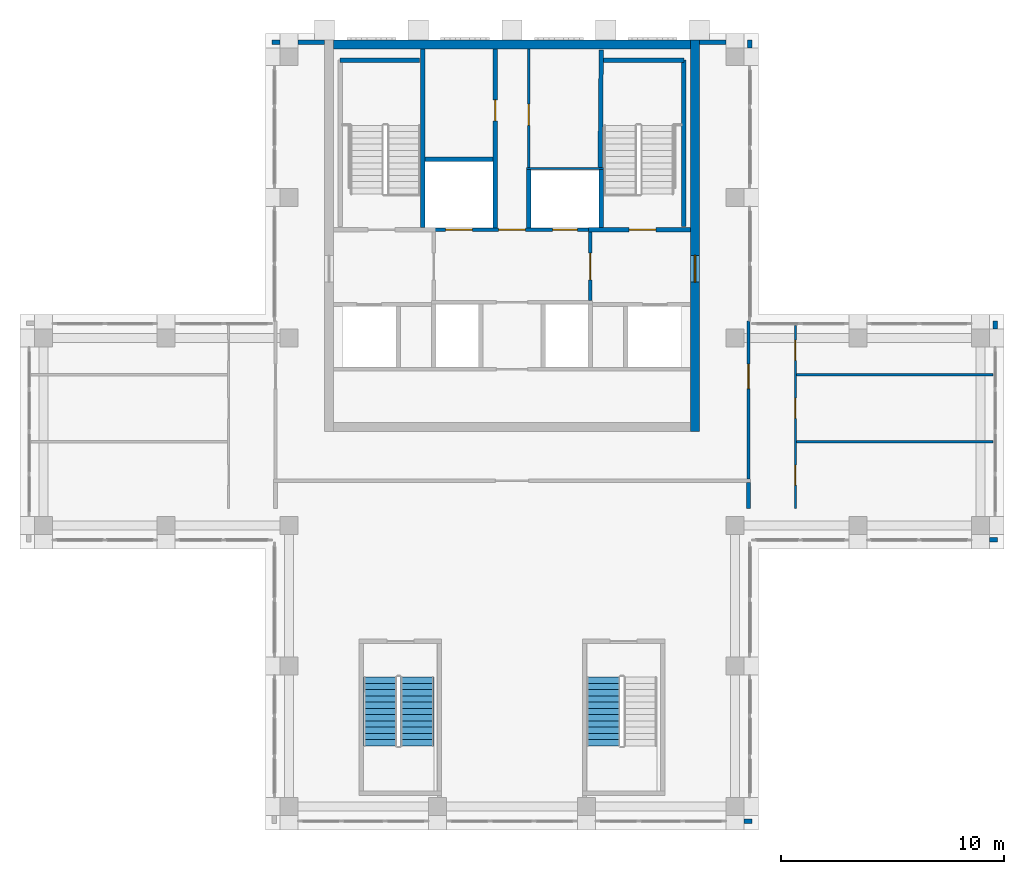
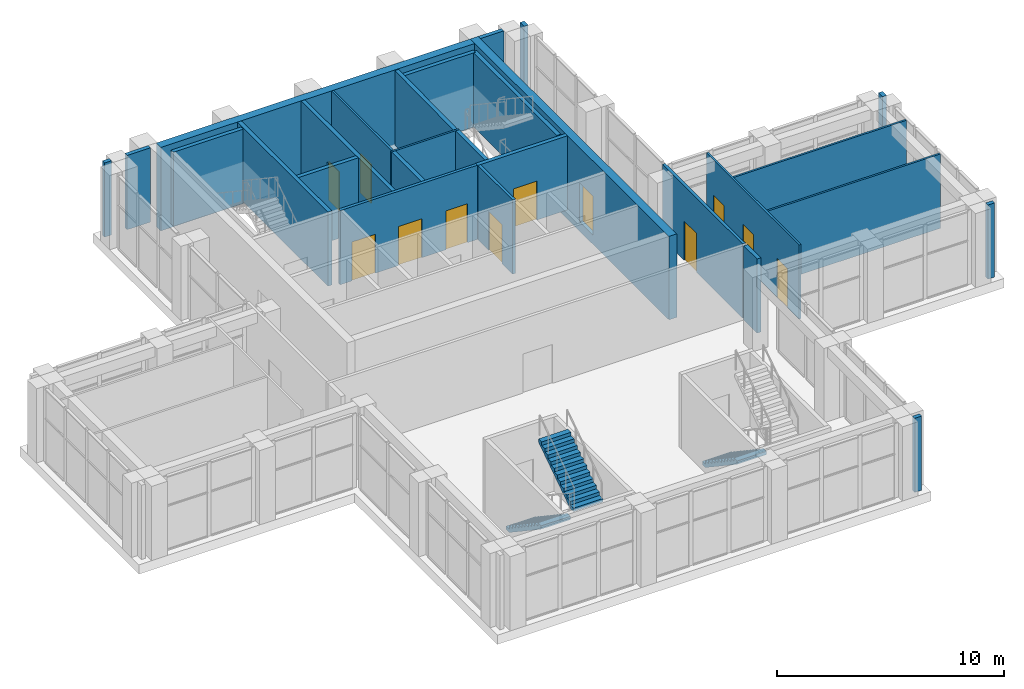
# One storey, part 10 of 14: 28 walls, 12 doors, 3 stair flights, 12 openings, 2 elements without a shape of their own.
"""IFC4 building model written with IfcOpenShell, lengths in metres."""

from ifc_helpers import new_model, si_unit, direction, frame, frame_2d, origin, place, context, subcontext, project, spatial, polyline, rectangle, outline, extrude, material, layer, layer_set, type_object, element, fill, aggregate, save


model = new_model("IFC4")

# Units and contexts
model_context = context("Model", 3, precision=1e-05, world=origin(), true_north=direction((0.0, 1.0)))
body_context = subcontext(model_context, "Body", "Model", "MODEL_VIEW")
ifc_project = project(units=[si_unit("LENGTHUNIT", "METRE"), si_unit("AREAUNIT", "SQUARE_METRE"), si_unit("VOLUMEUNIT", "CUBIC_METRE"), si_unit("PLANEANGLEUNIT", "RADIAN"), si_unit("MASSUNIT", "GRAM", prefix="KILO")], contexts=[model_context])

# Site, building, storey
site_placement = place(None, origin())
site = spatial("IfcSite", under=ifc_project, at=site_placement, CompositionType="ELEMENT")
building_placement = place(site_placement, origin())
building = spatial("IfcBuilding", under=site, at=building_placement, Name="Vermilion Ogive Tower", CompositionType="ELEMENT")
storey_placement = place(building_placement, frame((0.0, 0.0, 289.35009765625)))
storey = spatial("IfcBuildingStorey", under=building, at=storey_placement, Name="L75", CompositionType="ELEMENT", Elevation=289.35009765625)

# Wall, opening, door
ifc_material_1 = material(Name="Concrete B60", Category="concrete")
ifc_layer_1 = layer(ifc_material_1, 0.39990234375)
ifc_layer_set_1 = layer_set([ifc_layer_1], Name="Core wall 400 B60")
wall_type_1 = type_object("IfcWallType", Name="Core wall 400 B60", PredefinedType="SHEAR", material=ifc_layer_set_1)
wall_1_placement = place(storey_placement, frame((8.199951171875, 4.199951171875, -0.5), z_axis=(0.0, 0.0, 1.0), x_axis=(0.0, 1.0, 0.0)))
wall_1 = element("IfcWall", 1, at=wall_1_placement, inside=storey, type_object=wall_type_1, Name="L75-CORE-E", PredefinedType="SHEAR", context=body_context, shape_type="SweptSolid", body=[
    extrude(rectangle(XDim=17.550048828125, YDim=0.39990234375, at=frame_2d((8.77490234375, 0.0))), origin(), (0.0, 0.0, 1.0), 4.5),
])
opening_1_placement = place(wall_1_placement, frame((6.699951171875, 0.0, 0.5)))
opening_1 = element("IfcOpeningElement", 2, at=opening_1_placement, cuts=wall_1, Name="Opening DAY005", PredefinedType="OPENING", context=body_context, shape_type="SweptSolid", body=[
    extrude(rectangle(XDim=1.199951171875, YDim=2.10009765625, at=frame_2d((0.60009765625, 1.050048828125))), frame((0.0, 0.2099609375, 0.0), z_axis=(0.0, -1.0, 0.0), x_axis=(1.0, 0.0, 0.0)), (0.0, 0.0, 1.0), 0.419921875),
])
ifc_material_2 = material(Name="Timber door leaf", Category="wood")
door_type_1 = type_object("IfcDoorType", Name="Link door 1200 x 2100 FD60S", OperationType="SINGLE_SWING_LEFT", PredefinedType="DOOR", material=ifc_material_2)
door_1_placement = place(opening_1_placement, origin())
door_1 = element("IfcDoor", 3, at=door_1_placement, inside=storey, type_object=door_type_1, Name="L75-CK-XD2", OperationType="SINGLE_SWING_LEFT", OverallHeight=2.10009765625, OverallWidth=1.199951171875, PredefinedType="DOOR", context=body_context, shape_type="SweptSolid", body=[
    extrude(rectangle(XDim=1.199951171875, YDim=2.10009765625, at=frame_2d((0.60009765625, 1.050048828125))), frame((0.0, 0.02490234375, 0.0), z_axis=(0.0, -1.0, 0.0), x_axis=(1.0, 0.0, 0.0)), (0.0, 0.0, 1.0), 0.050048828125),
])
fill(opening_1, door_1)

# Walls
wall_2_placement = place(storey_placement, frame((-8.0, 21.550048828125, -0.5), z_axis=(0.0, 0.0, 1.0), x_axis=(1.0, 0.0, 0.0)))
element("IfcWall", 4, at=wall_2_placement, inside=storey, type_object=wall_type_1, Name="L75-CORE-N", PredefinedType="SHEAR", context=body_context, shape_type="SweptSolid", body=[
    extrude(rectangle(XDim=16.0, YDim=0.39990234375, at=frame_2d((8.0, 0.0))), origin(), (0.0, 0.0, 1.0), 4.5),
])
ifc_material_3 = material(Name="Gypsum board partition on steel studs", Category="steel")
ifc_layer_2 = layer(ifc_material_3, 0.10009765625)
ifc_layer_set_2 = layer_set([ifc_layer_2], Name="Partition 100 bath")
wall_type_2 = type_object("IfcWallType", Name="Partition 100 bath", PredefinedType="PARTITIONING", material=ifc_layer_set_2)
for number, where, z_axis, x_axis, name in (
    (5, (12.75, 3.75, 0.0), (0.0, 0.0, 1.0), (1.0, 0.0, 0.0), "L75-FS-W-W003"),
    (6, (12.75, 6.75, 0.0), (0.0, 0.0, 1.0), (1.0, 0.0, 0.0), "L75-FS-W-W005"),
):
    element("IfcWall", number, at=place(storey_placement, frame(where, z_axis=z_axis, x_axis=x_axis)), inside=storey, type_object=wall_type_2, Name=name, PredefinedType="PARTITIONING", context=body_context, shape_type="SweptSolid", body=[
        extrude(rectangle(XDim=8.800048828125, YDim=0.10009765625, at=frame_2d((4.39990234375, 0.0))), origin(), (0.0, 0.0, 1.0), 4.0),
    ])

# Wall, openings, doors
wall_3_placement = place(storey_placement, frame((12.699951171875, 0.75, 0.0), z_axis=(0.0, 0.0, 1.0), x_axis=(0.0, 1.0, 0.0)))
wall_3 = element("IfcWall", 7, at=wall_3_placement, inside=storey, type_object=wall_type_2, Name="L75-FS-W-W011", PredefinedType="PARTITIONING", context=body_context, shape_type="SweptSolid", body=[
    extrude(rectangle(XDim=8.199951171875, YDim=0.10009765625, at=frame_2d((4.10009765625, 0.0))), origin(), (0.0, 0.0, 1.0), 4.0),
])
opening_2_placement = place(wall_3_placement, frame((1.050048828125, 0.0, 0.0)))
opening_2 = element("IfcOpeningElement", 8, at=opening_2_placement, cuts=wall_3, Name="Opening L75S007", PredefinedType="OPENING", context=body_context, shape_type="SweptSolid", body=[
    extrude(rectangle(XDim=0.89990234375, YDim=2.10009765625, at=frame_2d((0.449951171875, 1.050048828125))), frame((0.0, 0.06005859375, 0.0), z_axis=(0.0, -1.0, 0.0), x_axis=(1.0, 0.0, 0.0)), (0.0, 0.0, 1.0), 0.1201171875),
])
opening_3_placement = place(wall_3_placement, frame((4.050048828125, 0.0, 0.0)))
opening_3 = element("IfcOpeningElement", 9, at=opening_3_placement, cuts=wall_3, Name="Opening L75S008", PredefinedType="OPENING", context=body_context, shape_type="SweptSolid", body=[
    extrude(rectangle(XDim=0.89990234375, YDim=2.10009765625, at=frame_2d((0.449951171875, 1.050048828125))), frame((0.0, 0.06005859375, 0.0), z_axis=(0.0, -1.0, 0.0), x_axis=(1.0, 0.0, 0.0)), (0.0, 0.0, 1.0), 0.1201171875),
])
opening_4_placement = place(wall_3_placement, frame((6.64990234375, 0.0, 0.0)))
opening_4 = element("IfcOpeningElement", 10, at=opening_4_placement, cuts=wall_3, Name="Opening L75S009", PredefinedType="OPENING", context=body_context, shape_type="SweptSolid", body=[
    extrude(rectangle(XDim=0.89990234375, YDim=2.10009765625, at=frame_2d((0.449951171875, 1.050048828125))), frame((0.0, 0.06005859375, 0.0), z_axis=(0.0, -1.0, 0.0), x_axis=(1.0, 0.0, 0.0)), (0.0, 0.0, 1.0), 0.1201171875),
])
ifc_material_4 = material(Name="Timber door leaf", Category="wood")
door_type_2 = type_object("IfcDoorType", Name="Room door 900 x 2100 FD30", OperationType="SINGLE_SWING_LEFT", PredefinedType="DOOR", material=ifc_material_4)
door_2_placement = place(opening_2_placement, origin())
door_2 = element("IfcDoor", 11, at=door_2_placement, inside=storey, type_object=door_type_2, Name="L75-FS-D-D007", OperationType="SINGLE_SWING_RIGHT", OverallHeight=2.10009765625, OverallWidth=0.89990234375, PredefinedType="DOOR", context=body_context, shape_type="SweptSolid", body=[
    extrude(rectangle(XDim=0.89990234375, YDim=2.10009765625, at=frame_2d((0.449951171875, 1.050048828125))), frame((0.0, 0.02490234375, 0.0), z_axis=(0.0, -1.0, 0.0), x_axis=(1.0, 0.0, 0.0)), (0.0, 0.0, 1.0), 0.050048828125),
])
fill(opening_2, door_2)
door_3_placement = place(opening_3_placement, origin())
door_3 = element("IfcDoor", 12, at=door_3_placement, inside=storey, type_object=door_type_2, Name="L75-FS-D-D008", OperationType="SINGLE_SWING_RIGHT", OverallHeight=2.10009765625, OverallWidth=0.89990234375, PredefinedType="DOOR", context=body_context, shape_type="SweptSolid", body=[
    extrude(rectangle(XDim=0.89990234375, YDim=2.10009765625, at=frame_2d((0.449951171875, 1.050048828125))), frame((0.0, 0.02490234375, 0.0), z_axis=(0.0, -1.0, 0.0), x_axis=(1.0, 0.0, 0.0)), (0.0, 0.0, 1.0), 0.050048828125),
])
fill(opening_3, door_3)
door_4_placement = place(opening_4_placement, origin())
door_4 = element("IfcDoor", 13, at=door_4_placement, inside=storey, type_object=door_type_2, Name="L75-FS-D-D009", OperationType="SINGLE_SWING_RIGHT", OverallHeight=2.10009765625, OverallWidth=0.89990234375, PredefinedType="DOOR", context=body_context, shape_type="SweptSolid", body=[
    extrude(rectangle(XDim=0.89990234375, YDim=2.10009765625, at=frame_2d((0.449951171875, 1.050048828125))), frame((0.0, 0.02490234375, 0.0), z_axis=(0.0, -1.0, 0.0), x_axis=(1.0, 0.0, 0.0)), (0.0, 0.0, 1.0), 0.050048828125),
])
fill(opening_4, door_4)

# Wall
wall_4_placement = place(storey_placement, frame((0.64990234375, 16.0, 0.0), z_axis=(0.0, 0.0, 1.0), x_axis=(1.0, 0.0, 0.0)))
element("IfcWall", 14, at=wall_4_placement, inside=storey, type_object=wall_type_2, Name="L75-CK-W-W008", PredefinedType="PARTITIONING", context=body_context, shape_type="SweptSolid", body=[
    extrude(rectangle(XDim=3.4501953125, YDim=0.10009765625, at=frame_2d((1.72509765625, 0.0))), origin(), (0.0, 0.0, 1.0), 4.0),
])

# Wall, opening, door
wall_5_placement = place(storey_placement, frame((0.75, 16.050048828125, 0.0), z_axis=(0.0, 0.0, 1.0), x_axis=(0.0, 1.0, 0.0)))
wall_5 = element("IfcWall", 15, at=wall_5_placement, inside=storey, type_object=wall_type_2, Name="L75-CK-W-W017", PredefinedType="PARTITIONING", context=body_context, shape_type="SweptSolid", body=[
    extrude(rectangle(XDim=5.299072265625, YDim=0.10009765625, at=frame_2d((2.6494140625, 0.0))), origin(), (0.0, 0.0, 1.0), 4.0),
])
opening_5_placement = place(wall_5_placement, frame((1.875, 0.0, 0.0)))
opening_5 = element("IfcOpeningElement", 16, at=opening_5_placement, cuts=wall_5, Name="Opening DAE062", PredefinedType="OPENING", context=body_context, shape_type="SweptSolid", body=[
    extrude(rectangle(XDim=0.949951171875, YDim=2.10009765625, at=frame_2d((0.47509765625, 1.050048828125))), frame((0.0, 0.06005859375, 0.0), z_axis=(0.0, -1.0, 0.0), x_axis=(1.0, 0.0, 0.0)), (0.0, 0.0, 1.0), 0.1201171875),
])
ifc_material_5 = material(Name="Timber door leaf", Category="wood")
door_type_3 = type_object("IfcDoorType", Name="Service door 950 x 2100 FD60", OperationType="SINGLE_SWING_LEFT", PredefinedType="DOOR", material=ifc_material_5)
door_5_placement = place(opening_5_placement, origin())
door_5 = element("IfcDoor", 17, at=door_5_placement, inside=storey, type_object=door_type_3, Name="L75-CK-D-D011", OperationType="SINGLE_SWING_LEFT", OverallHeight=2.10009765625, OverallWidth=0.949951171875, PredefinedType="DOOR", context=body_context, shape_type="SweptSolid", body=[
    extrude(rectangle(XDim=0.949951171875, YDim=2.10009765625, at=frame_2d((0.47509765625, 1.050048828125))), frame((0.0, 0.02490234375, 0.0), z_axis=(0.0, -1.0, 0.0), x_axis=(1.0, 0.0, 0.0)), (0.0, 0.0, 1.0), 0.050048828125),
])
fill(opening_5, door_5)

ifc_material_6 = material(Name="Gypsum board partition on steel studs", Category="steel")
ifc_layer_3 = layer(ifc_material_6, 0.14990234375)
ifc_layer_set_3 = layer_set([ifc_layer_3], Name="Partition 150 corridor")
wall_type_3 = type_object("IfcWallType", Name="Partition 150 corridor", PredefinedType="PARTITIONING", material=ifc_layer_set_3)
wall_6_placement = place(storey_placement, frame((10.60009765625, 2.074951171875, 0.0), z_axis=(0.0, 0.0, 1.0), x_axis=(0.0, 1.0, 0.0)))
wall_6 = element("IfcWall", 18, at=wall_6_placement, inside=storey, type_object=wall_type_3, Name="L75-FS-W-W010", PredefinedType="PARTITIONING", context=body_context, shape_type="SweptSolid", body=[
    extrude(rectangle(XDim=7.074951171875, YDim=0.14990234375, at=frame_2d((3.53759765625, 0.0))), origin(), (0.0, 0.0, 1.0), 4.0),
])
opening_6_placement = place(wall_6_placement, frame((4.050048828125, 0.0, 0.0)))
opening_6 = element("IfcOpeningElement", 19, at=opening_6_placement, cuts=wall_6, Name="Opening L75S006", PredefinedType="OPENING", context=body_context, shape_type="SweptSolid", body=[
    extrude(rectangle(XDim=1.10009765625, YDim=2.10009765625, at=frame_2d((0.550048828125, 1.050048828125))), frame((0.0, 0.0849609375, 0.0), z_axis=(0.0, -1.0, 0.0), x_axis=(1.0, 0.0, 0.0)), (0.0, 0.0, 1.0), 0.169921875),
])
ifc_material_7 = material(Name="Timber door leaf", Category="wood")
door_type_4 = type_object("IfcDoorType", Name="Wc door 1100 x 2100 FD30", OperationType="SINGLE_SWING_LEFT", PredefinedType="DOOR", material=ifc_material_7)
door_6_placement = place(opening_6_placement, origin())
door_6 = element("IfcDoor", 20, at=door_6_placement, inside=storey, type_object=door_type_4, Name="L75-FS-D-D006", OperationType="SINGLE_SWING_RIGHT", OverallHeight=2.10009765625, OverallWidth=1.10009765625, PredefinedType="DOOR", context=body_context, shape_type="SweptSolid", body=[
    extrude(rectangle(XDim=1.10009765625, YDim=2.10009765625, at=frame_2d((0.550048828125, 1.050048828125))), frame((0.0, 0.02490234375, 0.0), z_axis=(0.0, -1.0, 0.0), x_axis=(1.0, 0.0, 0.0)), (0.0, 0.0, 1.0), 0.050048828125),
])
fill(opening_6, door_6)

# Wall, openings, doors
wall_7_placement = place(storey_placement, frame((-3.574951171875, 13.25, 0.0), z_axis=(0.0, 0.0, 1.0), x_axis=(1.0, 0.0, 0.0)))
wall_7 = element("IfcWall", 21, at=wall_7_placement, inside=storey, type_object=wall_type_3, Name="L75-CK-W-W006", PredefinedType="PARTITIONING", context=body_context, shape_type="SweptSolid", body=[
    extrude(rectangle(XDim=7.14990234375, YDim=0.14990234375, at=frame_2d((3.574951171875, 0.0))), origin(), (0.0, 0.0, 1.0), 4.0),
])
opening_7_placement = place(wall_7_placement, frame((0.599853515625, 0.0, 0.0)))
opening_7 = element("IfcOpeningElement", 22, at=opening_7_placement, cuts=wall_7, Name="Opening DAE068", PredefinedType="OPENING", context=body_context, shape_type="SweptSolid", body=[
    extrude(rectangle(XDim=1.199951171875, YDim=2.10009765625, at=frame_2d((0.60009765625, 1.050048828125))), frame((0.0, 0.0849609375, 0.0), z_axis=(0.0, -1.0, 0.0), x_axis=(1.0, 0.0, 0.0)), (0.0, 0.0, 1.0), 0.169921875),
])
opening_8_placement = place(wall_7_placement, frame((5.39990234375, 0.0, 0.0)))
opening_8 = element("IfcOpeningElement", 23, at=opening_8_placement, cuts=wall_7, Name="Opening DAE067", PredefinedType="OPENING", context=body_context, shape_type="SweptSolid", body=[
    extrude(rectangle(XDim=1.10009765625, YDim=2.10009765625, at=frame_2d((0.550048828125, 1.050048828125))), frame((0.0, 0.0849609375, 0.0), z_axis=(0.0, -1.0, 0.0), x_axis=(1.0, 0.0, 0.0)), (0.0, 0.0, 1.0), 0.169921875),
])
opening_9_placement = place(wall_7_placement, frame((2.974853515625, 0.0, 0.0)))
opening_9 = element("IfcOpeningElement", 24, at=opening_9_placement, cuts=wall_7, Name="Opening DAE060", PredefinedType="OPENING", context=body_context, shape_type="SweptSolid", body=[
    extrude(rectangle(XDim=1.199951171875, YDim=2.10009765625, at=frame_2d((0.60009765625, 1.050048828125))), frame((0.0, 0.0849609375, 0.0), z_axis=(0.0, -1.0, 0.0), x_axis=(1.0, 0.0, 0.0)), (0.0, 0.0, 1.0), 0.169921875),
])
ifc_material_8 = material(Name="Stainless steel", Category="steel")
door_type_5 = type_object("IfcDoorType", Name="Lift landing door 1100 x 2100", OperationType="SLIDING_TO_LEFT", PredefinedType="DOOR", material=ifc_material_8)
door_7_placement = place(opening_8_placement, origin())
door_7 = element("IfcDoor", 25, at=door_7_placement, inside=storey, type_object=door_type_5, Name="L75-CK-D-D008", OperationType="SLIDING_TO_LEFT", OverallHeight=2.10009765625, OverallWidth=1.10009765625, PredefinedType="DOOR", context=body_context, shape_type="SweptSolid", body=[
    extrude(rectangle(XDim=1.10009765625, YDim=2.10009765625, at=frame_2d((0.550048828125, 1.050048828125))), frame((0.0, 0.02490234375, 0.0), z_axis=(0.0, -1.0, 0.0), x_axis=(1.0, 0.0, 0.0)), (0.0, 0.0, 1.0), 0.050048828125),
])
fill(opening_8, door_7)
ifc_material_9 = material(Name="Stainless steel", Category="steel")
door_type_6 = type_object("IfcDoorType", Name="Lift landing door 1200 x 2100", OperationType="SLIDING_TO_LEFT", PredefinedType="DOOR", material=ifc_material_9)
door_8_placement = place(opening_7_placement, origin())
door_8 = element("IfcDoor", 26, at=door_8_placement, inside=storey, type_object=door_type_6, Name="L75-CK-D-D007", OperationType="SLIDING_TO_RIGHT", OverallHeight=2.10009765625, OverallWidth=1.199951171875, PredefinedType="DOOR", context=body_context, shape_type="SweptSolid", body=[
    extrude(rectangle(XDim=1.199951171875, YDim=2.10009765625, at=frame_2d((0.60009765625, 1.050048828125))), frame((0.0, 0.02490234375, 0.0), z_axis=(0.0, -1.0, 0.0), x_axis=(1.0, 0.0, 0.0)), (0.0, 0.0, 1.0), 0.050048828125),
])
fill(opening_7, door_8)
ifc_material_10 = material(Name="Timber door leaf", Category="wood")
door_type_7 = type_object("IfcDoorType", Name="Service door 1200 x 2100 FD60", OperationType="SINGLE_SWING_LEFT", PredefinedType="DOOR", material=ifc_material_10)
door_9_placement = place(opening_9_placement, origin())
door_9 = element("IfcDoor", 27, at=door_9_placement, inside=storey, type_object=door_type_7, Name="L75-CK-D-D009", OperationType="SINGLE_SWING_RIGHT", OverallHeight=2.10009765625, OverallWidth=1.199951171875, PredefinedType="DOOR", context=body_context, shape_type="SweptSolid", body=[
    extrude(rectangle(XDim=1.199951171875, YDim=2.10009765625, at=frame_2d((0.60009765625, 1.050048828125))), frame((0.0, 0.02490234375, 0.0), z_axis=(0.0, -1.0, 0.0), x_axis=(1.0, 0.0, 0.0)), (0.0, 0.0, 1.0), 0.050048828125),
])
fill(opening_9, door_9)

# Wall, opening, door
wall_8_placement = place(storey_placement, frame((3.5, 10.074951171875, 0.0), z_axis=(0.0, 0.0, 1.0), x_axis=(0.0, 1.0, 0.0)))
wall_8 = element("IfcWall", 28, at=wall_8_placement, inside=storey, type_object=wall_type_3, Name="L75-CK-W-W020", PredefinedType="PARTITIONING", context=body_context, shape_type="SweptSolid", body=[
    extrude(rectangle(XDim=3.074951171875, YDim=0.14990234375, at=frame_2d((1.53759765625, 0.0))), origin(), (0.0, 0.0, 1.0), 4.0),
])
opening_10_placement = place(wall_8_placement, frame((0.925048828125, 0.0, 0.0)))
opening_10 = element("IfcOpeningElement", 29, at=opening_10_placement, cuts=wall_8, Name="Opening DAE057", PredefinedType="OPENING", context=body_context, shape_type="SweptSolid", body=[
    extrude(rectangle(XDim=1.199951171875, YDim=2.10009765625, at=frame_2d((0.60009765625, 1.050048828125))), frame((0.0, 0.0849609375, 0.0), z_axis=(0.0, -1.0, 0.0), x_axis=(1.0, 0.0, 0.0)), (0.0, 0.0, 1.0), 0.169921875),
])
ifc_material_11 = material(Name="Timber door leaf", Category="wood")
door_type_8 = type_object("IfcDoorType", Name="Lobby door 1200 x 2100 FD60S", OperationType="SINGLE_SWING_LEFT", PredefinedType="DOOR", material=ifc_material_11)
door_10_placement = place(opening_10_placement, origin())
door_10 = element("IfcDoor", 30, at=door_10_placement, inside=storey, type_object=door_type_8, Name="L75-CK-D-D013", OperationType="SINGLE_SWING_LEFT", OverallHeight=2.10009765625, OverallWidth=1.199951171875, PredefinedType="DOOR", context=body_context, shape_type="SweptSolid", body=[
    extrude(rectangle(XDim=1.199951171875, YDim=2.10009765625, at=frame_2d((0.60009765625, 1.050048828125))), frame((0.0, 0.02490234375, 0.0), z_axis=(0.0, -1.0, 0.0), x_axis=(1.0, 0.0, 0.0)), (0.0, 0.0, 1.0), 0.050048828125),
])
fill(opening_10, door_10)

# Walls
ifc_material_12 = material(Name="Gypsum board partition on steel studs", Category="steel")
ifc_layer_4 = layer(ifc_material_12, 0.199951171875)
ifc_layer_set_4 = layer_set([ifc_layer_4], Name="Partition 200 party")
wall_type_4 = type_object("IfcWallType", Name="Partition 200 party", PredefinedType="PARTITIONING", material=ifc_layer_set_4)
wall_9_placement = place(storey_placement, frame((10.60009765625, 0.75, 0.0), z_axis=(0.0, 0.0, 1.0), x_axis=(0.0, 1.0, 0.0)))
element("IfcWall", 31, at=wall_9_placement, inside=storey, type_object=wall_type_4, Name="L75-FS-W-W009", PredefinedType="PARTITIONING", context=body_context, shape_type="SweptSolid", body=[
    extrude(rectangle(XDim=1.175048828125, YDim=0.199951171875, at=frame_2d((0.58740234375, 0.0))), origin(), (0.0, 0.0, 1.0), 4.0),
])
wall_10_placement = place(storey_placement, frame((-3.89990234375, 16.39990234375, 0.0), z_axis=(0.0, 0.0, 1.0), x_axis=(1.0, 0.0, 0.0)))
element("IfcWall", 32, at=wall_10_placement, inside=storey, type_object=wall_type_4, Name="L75-CK-W-W009", PredefinedType="PARTITIONING", context=body_context, shape_type="SweptSolid", body=[
    extrude(rectangle(XDim=3.0498046875, YDim=0.199951171875, at=frame_2d((1.52490234375, 0.0))), origin(), (0.0, 0.0, 1.0), 4.0),
])

# Wall, opening, door
wall_11_placement = place(storey_placement, frame((-0.75, 13.324951171875, 0.0), z_axis=(0.0, 0.0, 1.0), x_axis=(0.0, 1.0, 0.0)))
wall_11 = element("IfcWall", 33, at=wall_11_placement, inside=storey, type_object=wall_type_4, Name="L75-CK-W-W015", PredefinedType="PARTITIONING", context=body_context, shape_type="SweptSolid", body=[
    extrude(rectangle(XDim=8.024169921875, YDim=0.199951171875, at=frame_2d((4.01220703125, 0.0))), origin(), (0.0, 0.0, 1.0), 4.0),
])
opening_11_placement = place(wall_11_placement, frame((4.800048828125, 0.0, 0.0)))
opening_11 = element("IfcOpeningElement", 34, at=opening_11_placement, cuts=wall_11, Name="Opening DAE061", PredefinedType="OPENING", context=body_context, shape_type="SweptSolid", body=[
    extrude(rectangle(XDim=0.949951171875, YDim=2.10009765625, at=frame_2d((0.47509765625, 1.050048828125))), frame((0.0, 0.10986328125, 0.0), z_axis=(0.0, -1.0, 0.0), x_axis=(1.0, 0.0, 0.0)), (0.0, 0.0, 1.0), 0.219970703125),
])
door_11_placement = place(opening_11_placement, origin())
door_11 = element("IfcDoor", 35, at=door_11_placement, inside=storey, type_object=door_type_3, Name="L75-CK-D-D010", OperationType="SINGLE_SWING_RIGHT", OverallHeight=2.10009765625, OverallWidth=0.949951171875, PredefinedType="DOOR", context=body_context, shape_type="SweptSolid", body=[
    extrude(rectangle(XDim=0.949951171875, YDim=2.10009765625, at=frame_2d((0.47509765625, 1.050048828125))), frame((0.0, 0.02490234375, 0.0), z_axis=(0.0, -1.0, 0.0), x_axis=(1.0, 0.0, 0.0)), (0.0, 0.0, 1.0), 0.050048828125),
])
fill(opening_11, door_11)

# Wall
wall_12_placement = place(storey_placement, frame((0.75, 13.324951171875, 0.0), z_axis=(0.0, 0.0, 1.0), x_axis=(0.0, 1.0, 0.0)))
element("IfcWall", 36, at=wall_12_placement, inside=storey, type_object=wall_type_4, Name="L75-CK-W-W016", PredefinedType="PARTITIONING", context=body_context, shape_type="SweptSolid", body=[
    extrude(rectangle(XDim=2.625, YDim=0.199951171875, at=frame_2d((1.3125, 0.0))), origin(), (0.0, 0.0, 1.0), 4.0),
])

# Wall, opening, door
ifc_material_13 = material(Name="Concrete B60", Category="concrete")
ifc_layer_5 = layer(ifc_material_13, 0.199951171875)
ifc_layer_set_5 = layer_set([ifc_layer_5], Name="Stair shaft wall 200 Concrete B60")
wall_type_5 = type_object("IfcWallType", Name="Stair shaft wall 200 Concrete B60", PredefinedType="SOLIDWALL", material=ifc_layer_set_5)
wall_13_placement = place(storey_placement, frame((3.425048828125, 13.25, 0.0), z_axis=(0.0, 0.0, 1.0), x_axis=(1.0, 0.0, 0.0)))
wall_13 = element("IfcWall", 37, at=wall_13_placement, inside=storey, type_object=wall_type_5, Name="L75-CK-W-W007", PredefinedType="SOLIDWALL", context=body_context, shape_type="SweptSolid", body=[
    extrude(rectangle(XDim=4.573974609375, YDim=0.199951171875, at=frame_2d((2.287109375, 0.0))), origin(), (0.0, 0.0, 1.0), 4.0),
])
opening_12_placement = place(wall_13_placement, frame((1.824951171875, 0.0, 0.0)))
opening_12 = element("IfcOpeningElement", 38, at=opening_12_placement, cuts=wall_13, Name="Opening DAE064", PredefinedType="OPENING", context=body_context, shape_type="SweptSolid", body=[
    extrude(rectangle(XDim=1.199951171875, YDim=2.10009765625, at=frame_2d((0.60009765625, 1.050048828125))), frame((0.0, 0.10986328125, 0.0), z_axis=(0.0, -1.0, 0.0), x_axis=(1.0, 0.0, 0.0)), (0.0, 0.0, 1.0), 0.219970703125),
])
ifc_material_14 = material(Name="Timber door leaf", Category="wood")
door_type_9 = type_object("IfcDoorType", Name="Stair door 1200 x 2100 FD60S", OperationType="SINGLE_SWING_LEFT", PredefinedType="DOOR", material=ifc_material_14)
door_12_placement = place(opening_12_placement, origin())
door_12 = element("IfcDoor", 39, at=door_12_placement, inside=storey, type_object=door_type_9, Name="L75-CK-D-D003", OperationType="SINGLE_SWING_RIGHT", OverallHeight=2.10009765625, OverallWidth=1.199951171875, PredefinedType="DOOR", context=body_context, shape_type="SweptSolid", body=[
    extrude(rectangle(XDim=1.199951171875, YDim=2.10009765625, at=frame_2d((0.60009765625, 1.050048828125))), frame((0.0, 0.02490234375, 0.0), z_axis=(0.0, -1.0, 0.0), x_axis=(1.0, 0.0, 0.0)), (0.0, 0.0, 1.0), 0.050048828125),
])
fill(opening_12, door_12)

# Walls
wall_14_placement = place(storey_placement, frame((-4.0, 13.35009765625, 0.0), z_axis=(0.0, 0.0, 1.0), x_axis=(0.0, 1.0, 0.0)))
element("IfcWall", 40, at=wall_14_placement, inside=storey, type_object=wall_type_5, Name="L75-CK-W-W011", PredefinedType="SOLIDWALL", context=body_context, shape_type="SweptSolid", body=[
    extrude(rectangle(XDim=7.9990234375, YDim=0.199951171875, at=frame_2d((3.99951171875, 0.0))), origin(), (0.0, 0.0, 1.0), 4.0),
])
wall_15_placement = place(storey_placement, frame((4.0, 13.35009765625, 0.0), z_axis=(0.0, 0.0, 1.0), x_axis=(0.0, 1.0, 0.0)))
element("IfcWall", 41, at=wall_15_placement, inside=storey, type_object=wall_type_5, Name="L75-CK-W-W021", PredefinedType="SOLIDWALL", context=body_context, shape_type="SweptSolid", body=[
    extrude(rectangle(XDim=2.599853515625, YDim=0.199951171875, at=frame_2d((1.2998046875, 0.0))), origin(), (0.0, 0.0, 1.0), 4.0),
])
wall_16_placement = place(storey_placement, frame((3.949951171875, 16.050048828125, 0.0), z_axis=(0.0, 0.0, 1.0), x_axis=(0.009534450323, 0.999954546095, 0.0)))
element("IfcWall", 42, at=wall_16_placement, inside=storey, type_object=wall_type_5, Name="L75-CK-W-W022", PredefinedType="SOLIDWALL", context=body_context, shape_type="SweptSolid", body=[
    extrude(rectangle(XDim=5.249267578125, YDim=0.199951171875, at=frame_2d((2.62451171875, 0.0))), origin(), (0.0, 0.0, 1.0), 4.0),
])
wall_17_placement = place(storey_placement, frame((-7.699951171875, 20.85009765625, 0.0), z_axis=(0.0, 0.0, 1.0), x_axis=(1.0, 0.0, 0.0)))
element("IfcWall", 43, at=wall_17_placement, inside=storey, type_object=wall_type_5, Name="L75-SW-R004-N1", PredefinedType="SOLIDWALL", context=body_context, shape_type="SweptSolid", body=[
    extrude(rectangle(XDim=3.550048828125, YDim=0.199951171875, at=frame_2d((1.77490234375, 0.0))), origin(), (0.0, 0.0, 1.0), 4.0),
])
wall_18_placement = place(storey_placement, frame((7.699951171875, 13.39990234375, 0.0), z_axis=(0.0, 0.0, 1.0), x_axis=(0.0, 1.0, 0.0)))
element("IfcWall", 44, at=wall_18_placement, inside=storey, type_object=wall_type_5, Name="L75-SW-R008-E1", PredefinedType="SOLIDWALL", context=body_context, shape_type="SweptSolid", body=[
    extrude(rectangle(XDim=7.4501953125, YDim=0.199951171875, at=frame_2d((3.72509765625, 0.0))), origin(), (0.0, 0.0, 1.0), 4.0),
])
wall_19_placement = place(storey_placement, frame((4.10009765625, 20.85009765625, 0.0), z_axis=(0.0, 0.0, 1.0), x_axis=(1.0, 0.0, 0.0)))
element("IfcWall", 45, at=wall_19_placement, inside=storey, type_object=wall_type_5, Name="L75-SW-R008-N1", PredefinedType="SOLIDWALL", context=body_context, shape_type="SweptSolid", body=[
    extrude(rectangle(XDim=3.599853515625, YDim=0.199951171875, at=frame_2d((1.7998046875, 0.0))), origin(), (0.0, 0.0, 1.0), 4.0),
])
ifc_material_15 = material(Name="Aluminium window wall framing", Category="aluminium")
ifc_layer_6 = layer(ifc_material_15, 0.199951171875)
ifc_layer_set_6 = layer_set([ifc_layer_6], Name="Window wall")
wall_type_6 = type_object("IfcWallType", Name="Window wall", PredefinedType="STANDARD", material=ifc_layer_set_6)
for number, where, z_axis, x_axis, name in (
    (46, (10.39990234375, -13.25, 0.0), (0.0, 0.0, 1.0), (1.0, 0.0, 0.0), "Window wall S4"),
    (47, (21.39990234375, -0.64990234375, 0.0), (0.0, 0.0, 1.0), (1.0, 0.0, 0.0), "Window wall X23"),
):
    element("IfcWall", number, at=place(storey_placement, frame(where, z_axis=z_axis, x_axis=x_axis)), inside=storey, type_object=wall_type_6, Name=name, PredefinedType="STANDARD", context=body_context, shape_type="SweptSolid", body=[
        extrude(rectangle(XDim=0.35009765625, YDim=0.199951171875, at=frame_2d((0.175048828125, 0.0))), origin(), (0.0, 0.0, 1.0), 4.0),
    ])
wall_20_placement = place(storey_placement, frame((21.64990234375, 8.800048828125, 0.0), z_axis=(0.0, 0.0, 1.0), x_axis=(0.0, 1.0, 0.0)))
element("IfcWall", 48, at=wall_20_placement, inside=storey, type_object=wall_type_6, Name="Window wall E2", PredefinedType="STANDARD", context=body_context, shape_type="SweptSolid", body=[
    extrude(rectangle(XDim=0.349853515625, YDim=0.199951171875, at=frame_2d((0.1748046875, 0.0))), origin(), (0.0, 0.0, 1.0), 4.0),
])
wall_21_placement = place(storey_placement, frame((10.64990234375, 21.39990234375, 0.0), z_axis=(0.0, 0.0, 1.0), x_axis=(0.0, 1.0, 0.0)))
element("IfcWall", 49, at=wall_21_placement, inside=storey, type_object=wall_type_6, Name="Window wall X43", PredefinedType="STANDARD", context=body_context, shape_type="SweptSolid", body=[
    extrude(rectangle(XDim=0.35009765625, YDim=0.199951171875, at=frame_2d((0.175048828125, 0.0))), origin(), (0.0, 0.0, 1.0), 4.0),
])
for number, where, z_axis, x_axis, name in (
    (50, (9.60009765625, 21.64990234375, 0.0), (0.0, 0.0, 1.0), (-1.0, 0.0, 0.0), "Window wall N11"),
    (51, (-8.39990234375, 21.64990234375, 0.0), (0.0, 0.0, 1.0), (-1.0, 0.0, 0.0), "Window wall N21"),
):
    element("IfcWall", number, at=place(storey_placement, frame(where, z_axis=z_axis, x_axis=x_axis)), inside=storey, type_object=wall_type_6, Name=name, PredefinedType="STANDARD", context=body_context, shape_type="SweptSolid", body=[
        extrude(rectangle(XDim=1.2001953125, YDim=0.199951171875, at=frame_2d((0.60009765625, 0.0))), origin(), (0.0, 0.0, 1.0), 4.0),
    ])
wall_22_placement = place(storey_placement, frame((-10.39990234375, 21.64990234375, 0.0), z_axis=(0.0, 0.0, 1.0), x_axis=(-1.0, 0.0, 0.0)))
element("IfcWall", 52, at=wall_22_placement, inside=storey, type_object=wall_type_6, Name="Window wall N22", PredefinedType="STANDARD", context=body_context, shape_type="SweptSolid", body=[
    extrude(rectangle(XDim=0.35009765625, YDim=0.199951171875, at=frame_2d((0.175048828125, 0.0))), origin(), (0.0, 0.0, 1.0), 4.0),
])

# Stair, stair flight
ifc_material_16 = material(Name="Concrete B40", Category="concrete")
stair_type = type_object("IfcStairType", Name="Exit stair 1500", PredefinedType="HALF_TURN_STAIR", material=ifc_material_16)
stair_1_placement = place(storey_placement, origin())
stair_1 = element("IfcStair", 53, at=stair_1_placement, inside=storey, type_object=stair_type, Name="L75 Exit Stair ST6", PredefinedType="HALF_TURN_STAIR")
ifc_material_17 = material(Name="Concrete B40", Category="concrete")
stair_flight_type = type_object("IfcStairFlightType", Name="Stair flight 1500", PredefinedType="STRAIGHT", material=ifc_material_17)
stair_flight_1_placement = place(storey_placement, frame((4.10009765625, -6.800048828125, 0.0), z_axis=(0.0, 0.0, 1.0), x_axis=(0.0, -1.0, 0.0)))
stair_flight_1 = element("IfcStairFlight", 54, at=stair_flight_1_placement, type_object=stair_flight_type, Name="ST6 flight 1", NumberOfRisers=12, NumberOfTreads=11, PredefinedType="STRAIGHT", RiserHeight=0.1875, TreadLength=0.28, context=body_context, shape_type="SweptSolid", body=[
    extrude(outline(polyline([(0.0, 0.0), (0.0, 0.1875), (0.280029296875, 0.1875), (0.280029296875, 0.375), (0.56005859375, 0.375), (0.56005859375, 0.5625), (0.840087890625, 0.5625), (0.840087890625, 0.75), (1.1201171875, 0.75), (1.1201171875, 0.9375), (1.39990234375, 0.9375), (1.39990234375, 1.125), (1.679931640625, 1.125), (1.679931640625, 1.3125), (1.9599609375, 1.3125), (1.9599609375, 1.5), (2.239990234375, 1.5), (2.239990234375, 1.6875), (2.52001953125, 1.6875), (2.52001953125, 1.875), (2.800048828125, 1.875), (2.800048828125, 2.0625), (3.080078125, 2.0625), (3.080078125, 2.25), (3.080078125, 1.882080078125), (0.26953125, 0.0), (0.0, 0.0)])), frame((0.0, 0.75, 0.0), z_axis=(0.0, -1.0, 0.0), x_axis=(1.0, 0.0, 0.0)), (0.0, 0.0, 1.0), 1.5),
])
aggregate(stair_1, [stair_flight_1])

# Stair, stair flights
stair_2_placement = place(storey_placement, origin())
stair_2 = element("IfcStair", 55, at=stair_2_placement, inside=storey, type_object=stair_type, Name="L75 Exit Stair ST7", PredefinedType="HALF_TURN_STAIR")
stair_flight_2_placement = place(storey_placement, frame((-5.89990234375, -6.800048828125, 0.0), z_axis=(0.0, 0.0, 1.0), x_axis=(0.0, -1.0, 0.0)))
stair_flight_2 = element("IfcStairFlight", 56, at=stair_flight_2_placement, type_object=stair_flight_type, Name="ST7 flight 1", NumberOfRisers=12, NumberOfTreads=11, PredefinedType="STRAIGHT", RiserHeight=0.1875, TreadLength=0.28, context=body_context, shape_type="SweptSolid", body=[
    extrude(outline(polyline([(0.0, 0.0), (0.0, 0.1875), (0.280029296875, 0.1875), (0.280029296875, 0.375), (0.56005859375, 0.375), (0.56005859375, 0.5625), (0.840087890625, 0.5625), (0.840087890625, 0.75), (1.1201171875, 0.75), (1.1201171875, 0.9375), (1.39990234375, 0.9375), (1.39990234375, 1.125), (1.679931640625, 1.125), (1.679931640625, 1.3125), (1.9599609375, 1.3125), (1.9599609375, 1.5), (2.239990234375, 1.5), (2.239990234375, 1.6875), (2.52001953125, 1.6875), (2.52001953125, 1.875), (2.800048828125, 1.875), (2.800048828125, 2.0625), (3.080078125, 2.0625), (3.080078125, 2.25), (3.080078125, 1.882080078125), (0.26953125, 0.0), (0.0, 0.0)])), frame((0.0, 0.75, 0.0), z_axis=(0.0, -1.0, 0.0), x_axis=(1.0, 0.0, 0.0)), (0.0, 0.0, 1.0), 1.5),
])
stair_flight_3_placement = place(storey_placement, frame((-4.25, -9.8798828125, 2.25), z_axis=(0.0, 0.0, 1.0), x_axis=(0.0, 1.0, 0.0)))
stair_flight_3 = element("IfcStairFlight", 57, at=stair_flight_3_placement, type_object=stair_flight_type, Name="ST7 flight 2", NumberOfRisers=12, NumberOfTreads=11, PredefinedType="STRAIGHT", RiserHeight=0.1875, TreadLength=0.28, context=body_context, shape_type="SweptSolid", body=[
    extrude(outline(polyline([(0.0, 0.0), (0.0, 0.1875), (0.280029296875, 0.1875), (0.280029296875, 0.375), (0.56005859375, 0.375), (0.56005859375, 0.5625), (0.840087890625, 0.5625), (0.840087890625, 0.75), (1.1201171875, 0.75), (1.1201171875, 0.9375), (1.39990234375, 0.9375), (1.39990234375, 1.125), (1.679931640625, 1.125), (1.679931640625, 1.3125), (1.9599609375, 1.3125), (1.9599609375, 1.5), (2.239990234375, 1.5), (2.239990234375, 1.6875), (2.52001953125, 1.6875), (2.52001953125, 1.875), (2.800048828125, 1.875), (2.800048828125, 2.0625), (3.080078125, 2.0625), (3.080078125, 2.25), (3.080078125, 1.882080078125), (0.26953125, 0.0), (0.0, 0.0)])), frame((0.0, 0.75, 0.0), z_axis=(0.0, -1.0, 0.0), x_axis=(1.0, 0.0, 0.0)), (0.0, 0.0, 1.0), 1.5),
])
aggregate(stair_2, [stair_flight_2, stair_flight_3])

save(model, "model.ifc")
